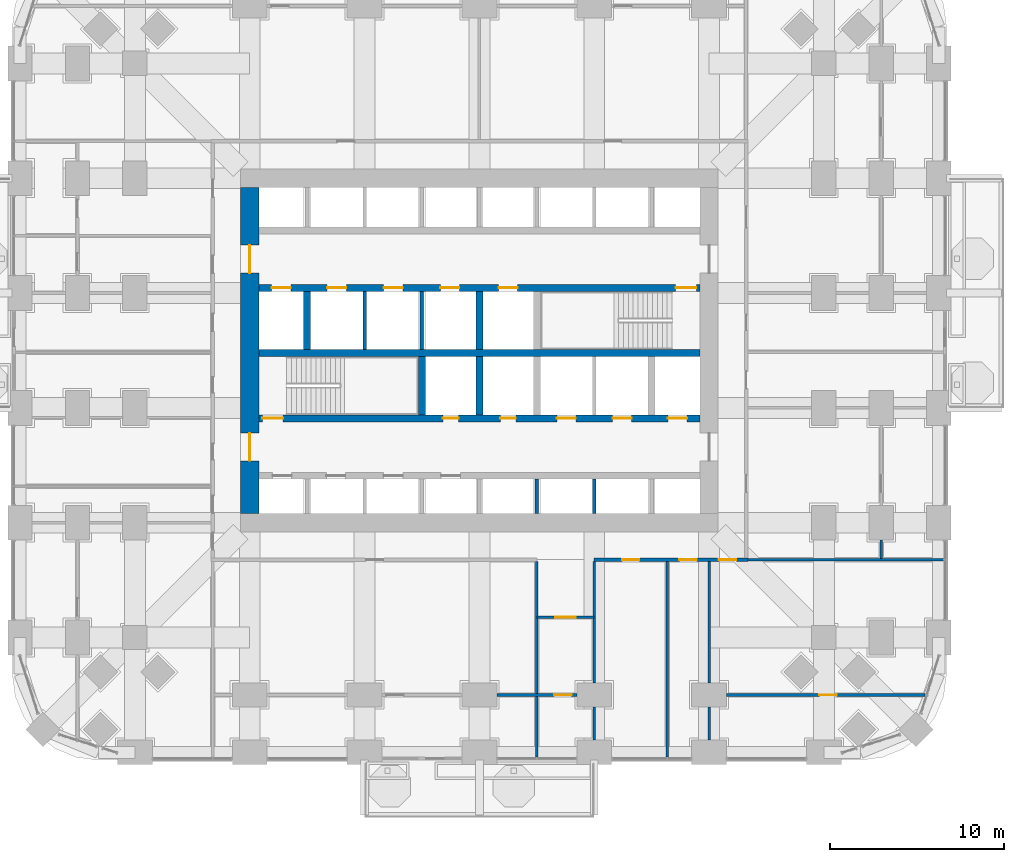
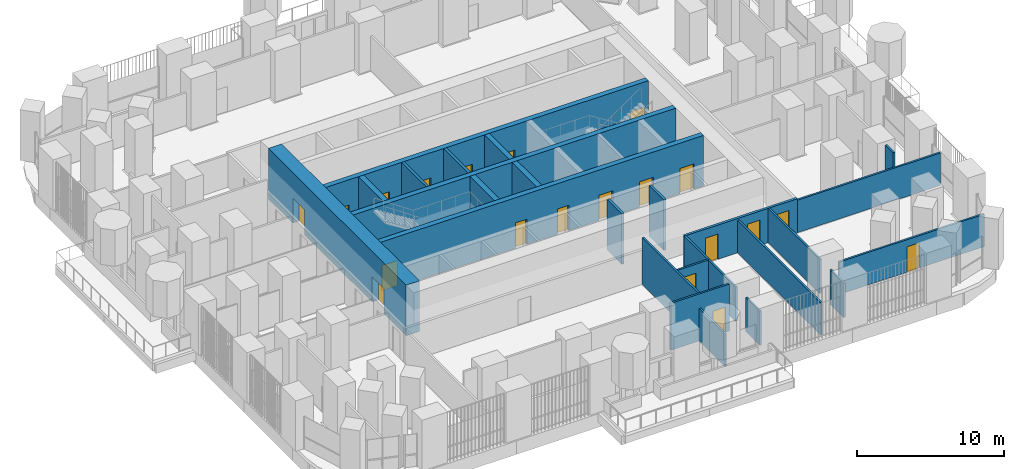
# One storey, part 17 of 24: 25 walls, 20 doors, 20 openings.
"""IFC4 building model written with IfcOpenShell, lengths in metres."""

from ifc_helpers import new_model, si_unit, direction, frame, frame_2d, origin, place, context, subcontext, project, spatial, rectangle, extrude, material, layer, layer_set, type_object, element, fill, save


model = new_model("IFC4")

# Units and contexts
model_context = context("Model", 3, precision=1e-05, world=origin(), true_north=direction((0.0, 1.0)))
body_context = subcontext(model_context, "Body", "Model", "MODEL_VIEW")
ifc_project = project(units=[si_unit("LENGTHUNIT", "METRE"), si_unit("AREAUNIT", "SQUARE_METRE"), si_unit("VOLUMEUNIT", "CUBIC_METRE"), si_unit("PLANEANGLEUNIT", "RADIAN"), si_unit("MASSUNIT", "GRAM", prefix="KILO")], contexts=[model_context])

# Site, building, storey
site_placement = place(None, origin())
site = spatial("IfcSite", under=ifc_project, at=site_placement, CompositionType="ELEMENT")
building_placement = place(site_placement, origin())
building = spatial("IfcBuilding", under=site, at=building_placement, Name="Cobogo Forest Laboratory Tower", CompositionType="ELEMENT")
storey_placement = place(building_placement, frame((0.0, 0.0, 17.10009765625)))
storey = spatial("IfcBuildingStorey", under=building, at=storey_placement, Name="L03", CompositionType="ELEMENT", Elevation=17.10009765625)

# Wall, openings, doors
ifc_material_1 = material(Name="Concrete HA-50 (C50/60)", Category="concrete")
ifc_layer_1 = layer(ifc_material_1, 0.39990234375)
ifc_layer_set_1 = layer_set([ifc_layer_1], Name="CI400 core inner wall 400")
wall_type_1 = type_object("IfcWallType", Name="CI400 core inner wall 400", PredefinedType="SHEAR", material=ifc_layer_set_1)
wall_1_placement = place(storey_placement, frame((13.72509765625, 19.199951171875, 0.0), z_axis=(0.0, 0.0, 1.0), x_axis=(1.0, 0.0, 0.0)))
wall_1 = element("IfcWall", 1, at=wall_1_placement, inside=storey, type_object=wall_type_1, Name="Core wall CI-19.2 L03", PredefinedType="SHEAR", context=body_context, shape_type="SweptSolid", body=[
    extrude(rectangle(XDim=25.349853515625, YDim=0.39990234375, at=frame_2d((12.6748046875, 0.0))), origin(), (0.0, 0.0, 1.0), 4.199951171875),
])
opening_1_placement = place(wall_1_placement, frame((10.574951171875, 0.0, 0.0)))
opening_1 = element("IfcOpeningElement", 2, at=opening_1_placement, cuts=wall_1, Name="Opening L03-D19", PredefinedType="OPENING", context=body_context, shape_type="SweptSolid", body=[
    extrude(rectangle(XDim=0.89990234375, YDim=2.10009765625, at=frame_2d((0.449951171875, 1.050048828125))), frame((0.0, 0.2099609375, 0.0), z_axis=(0.0, -1.0, 0.0), x_axis=(1.0, 0.0, 0.0)), (0.0, 0.0, 1.0), 0.419921875),
])
opening_2_placement = place(wall_1_placement, frame((13.875, 0.0, 0.0)))
opening_2 = element("IfcOpeningElement", 3, at=opening_2_placement, cuts=wall_1, Name="Opening L03-D20", PredefinedType="OPENING", context=body_context, shape_type="SweptSolid", body=[
    extrude(rectangle(XDim=0.89990234375, YDim=2.10009765625, at=frame_2d((0.449951171875, 1.050048828125))), frame((0.0, 0.2099609375, 0.0), z_axis=(0.0, -1.0, 0.0), x_axis=(1.0, 0.0, 0.0)), (0.0, 0.0, 1.0), 0.419921875),
])
opening_3_placement = place(wall_1_placement, frame((0.199951171875, 0.0, 0.0)))
opening_3 = element("IfcOpeningElement", 4, at=opening_3_placement, cuts=wall_1, Name="Opening L03-D18", PredefinedType="OPENING", context=body_context, shape_type="SweptSolid", body=[
    extrude(rectangle(XDim=1.199951171875, YDim=2.10009765625, at=frame_2d((0.60009765625, 1.050048828125))), frame((0.0, 0.2099609375, 0.0), z_axis=(0.0, -1.0, 0.0), x_axis=(1.0, 0.0, 0.0)), (0.0, 0.0, 1.0), 0.419921875),
])
opening_4_placement = place(wall_1_placement, frame((23.512451171875, 0.0, 0.0)))
opening_4 = element("IfcOpeningElement", 5, at=opening_4_placement, cuts=wall_1, Name="Opening L03-LD-FL2", PredefinedType="OPENING", context=body_context, shape_type="SweptSolid", body=[
    extrude(rectangle(XDim=1.10009765625, YDim=2.10009765625, at=frame_2d((0.550048828125, 1.050048828125))), frame((0.0, 0.2099609375, 0.0), z_axis=(0.0, -1.0, 0.0), x_axis=(1.0, 0.0, 0.0)), (0.0, 0.0, 1.0), 0.419921875),
])
opening_5_placement = place(wall_1_placement, frame((17.125, 0.0, 0.0)))
opening_5 = element("IfcOpeningElement", 6, at=opening_5_placement, cuts=wall_1, Name="Opening L03-LD-LS1", PredefinedType="OPENING", context=body_context, shape_type="SweptSolid", body=[
    extrude(rectangle(XDim=1.10009765625, YDim=2.10009765625, at=frame_2d((0.550048828125, 1.050048828125))), frame((0.0, 0.2099609375, 0.0), z_axis=(0.0, -1.0, 0.0), x_axis=(1.0, 0.0, 0.0)), (0.0, 0.0, 1.0), 0.419921875),
])
opening_6_placement = place(wall_1_placement, frame((20.324951171875, 0.0, 0.0)))
opening_6 = element("IfcOpeningElement", 7, at=opening_6_placement, cuts=wall_1, Name="Opening L03-LD-LS2", PredefinedType="OPENING", context=body_context, shape_type="SweptSolid", body=[
    extrude(rectangle(XDim=1.10009765625, YDim=2.10009765625, at=frame_2d((0.550048828125, 1.050048828125))), frame((0.0, 0.2099609375, 0.0), z_axis=(0.0, -1.0, 0.0), x_axis=(1.0, 0.0, 0.0)), (0.0, 0.0, 1.0), 0.419921875),
])
ifc_material_2 = material(Name="Steel fire door", Category="steel")
door_type_1 = type_object("IfcDoorType", Name="DS1 protected stair door 1200 EI2 60", OperationType="SINGLE_SWING_LEFT", PredefinedType="DOOR", material=ifc_material_2)
door_1_placement = place(opening_3_placement, origin())
door_1 = element("IfcDoor", 8, at=door_1_placement, inside=storey, type_object=door_type_1, Name="Door L03-ST1", OperationType="SINGLE_SWING_LEFT", OverallHeight=2.10009765625, OverallWidth=1.199951171875, PredefinedType="DOOR", context=body_context, shape_type="SweptSolid", body=[
    extrude(rectangle(XDim=1.199951171875, YDim=2.10009765625, at=frame_2d((0.60009765625, 1.050048828125))), frame((0.0, 0.02490234375, 0.0), z_axis=(0.0, -1.0, 0.0), x_axis=(1.0, 0.0, 0.0)), (0.0, 0.0, 1.0), 0.050048828125),
])
fill(opening_3, door_1)
door_type_2 = type_object("IfcDoorType", Name="FD4 riser access door 900 EI2 60", OperationType="SINGLE_SWING_LEFT", PredefinedType="DOOR", material=ifc_material_2)
door_2_placement = place(opening_1_placement, origin())
door_2 = element("IfcDoor", 9, at=door_2_placement, inside=storey, type_object=door_type_2, Name="Door L03-R1", OperationType="SINGLE_SWING_LEFT", OverallHeight=2.10009765625, OverallWidth=0.89990234375, PredefinedType="DOOR", context=body_context, shape_type="SweptSolid", body=[
    extrude(rectangle(XDim=0.89990234375, YDim=2.10009765625, at=frame_2d((0.449951171875, 1.050048828125))), frame((0.0, 0.02490234375, 0.0), z_axis=(0.0, -1.0, 0.0), x_axis=(1.0, 0.0, 0.0)), (0.0, 0.0, 1.0), 0.050048828125),
])
fill(opening_1, door_2)
door_3_placement = place(opening_2_placement, origin())
door_3 = element("IfcDoor", 10, at=door_3_placement, inside=storey, type_object=door_type_2, Name="Door L03-R2", OperationType="SINGLE_SWING_RIGHT", OverallHeight=2.10009765625, OverallWidth=0.89990234375, PredefinedType="DOOR", context=body_context, shape_type="SweptSolid", body=[
    extrude(rectangle(XDim=0.89990234375, YDim=2.10009765625, at=frame_2d((0.449951171875, 1.050048828125))), frame((0.0, 0.02490234375, 0.0), z_axis=(0.0, -1.0, 0.0), x_axis=(1.0, 0.0, 0.0)), (0.0, 0.0, 1.0), 0.050048828125),
])
fill(opening_2, door_3)
ifc_material_3 = material(Name="Stainless steel lift door", Category="steel")
door_type_3 = type_object("IfcDoorType", Name="LD lift landing door 1100", OperationType="DOUBLE_DOOR_SLIDING", PredefinedType="DOOR", material=ifc_material_3)
door_4_placement = place(opening_4_placement, origin())
door_4 = element("IfcDoor", 11, at=door_4_placement, inside=storey, type_object=door_type_3, Name="Lift landing door FL2 L03", OperationType="DOUBLE_DOOR_SLIDING", OverallHeight=2.10009765625, OverallWidth=1.10009765625, PredefinedType="DOOR", context=body_context, shape_type="SweptSolid", body=[
    extrude(rectangle(XDim=1.10009765625, YDim=2.10009765625, at=frame_2d((0.550048828125, 1.050048828125))), frame((0.0, 0.02490234375, 0.0), z_axis=(0.0, -1.0, 0.0), x_axis=(1.0, 0.0, 0.0)), (0.0, 0.0, 1.0), 0.050048828125),
])
fill(opening_4, door_4)
door_5_placement = place(opening_5_placement, origin())
door_5 = element("IfcDoor", 12, at=door_5_placement, inside=storey, type_object=door_type_3, Name="Lift landing door LS1 L03", OperationType="DOUBLE_DOOR_SLIDING", OverallHeight=2.10009765625, OverallWidth=1.10009765625, PredefinedType="DOOR", context=body_context, shape_type="SweptSolid", body=[
    extrude(rectangle(XDim=1.10009765625, YDim=2.10009765625, at=frame_2d((0.550048828125, 1.050048828125))), frame((0.0, 0.02490234375, 0.0), z_axis=(0.0, -1.0, 0.0), x_axis=(1.0, 0.0, 0.0)), (0.0, 0.0, 1.0), 0.050048828125),
])
fill(opening_5, door_5)
door_6_placement = place(opening_6_placement, origin())
door_6 = element("IfcDoor", 13, at=door_6_placement, inside=storey, type_object=door_type_3, Name="Lift landing door LS2 L03", OperationType="DOUBLE_DOOR_SLIDING", OverallHeight=2.10009765625, OverallWidth=1.10009765625, PredefinedType="DOOR", context=body_context, shape_type="SweptSolid", body=[
    extrude(rectangle(XDim=1.10009765625, YDim=2.10009765625, at=frame_2d((0.550048828125, 1.050048828125))), frame((0.0, 0.02490234375, 0.0), z_axis=(0.0, -1.0, 0.0), x_axis=(1.0, 0.0, 0.0)), (0.0, 0.0, 1.0), 0.050048828125),
])
fill(opening_6, door_6)

# Wall
wall_2_placement = place(storey_placement, frame((13.72509765625, 22.949951171875, 0.0), z_axis=(0.0, 0.0, 1.0), x_axis=(1.0, 0.0, 0.0)))
element("IfcWall", 14, at=wall_2_placement, inside=storey, type_object=wall_type_1, Name="Core wall CI-22.95 L03", PredefinedType="SHEAR", context=body_context, shape_type="SweptSolid", body=[
    extrude(rectangle(XDim=25.349853515625, YDim=0.39990234375, at=frame_2d((12.6748046875, 0.0))), origin(), (0.0, 0.0, 1.0), 4.199951171875),
])

# Wall, openings, doors
wall_3_placement = place(storey_placement, frame((13.72509765625, 26.699951171875, 0.0), z_axis=(0.0, 0.0, 1.0), x_axis=(1.0, 0.0, 0.0)))
wall_3 = element("IfcWall", 15, at=wall_3_placement, inside=storey, type_object=wall_type_1, Name="Core wall CI-26.7 L03", PredefinedType="SHEAR", context=body_context, shape_type="SweptSolid", body=[
    extrude(rectangle(XDim=25.349853515625, YDim=0.39990234375, at=frame_2d((12.6748046875, 0.0))), origin(), (0.0, 0.0, 1.0), 4.199951171875),
])
opening_7_placement = place(wall_3_placement, frame((23.949951171875, 0.0, 0.0)))
opening_7 = element("IfcOpeningElement", 16, at=opening_7_placement, cuts=wall_3, Name="Opening L03-D27", PredefinedType="OPENING", context=body_context, shape_type="SweptSolid", body=[
    extrude(rectangle(XDim=1.199951171875, YDim=2.10009765625, at=frame_2d((0.60009765625, 1.050048828125))), frame((0.0, 0.2099609375, 0.0), z_axis=(0.0, -1.0, 0.0), x_axis=(1.0, 0.0, 0.0)), (0.0, 0.0, 1.0), 0.419921875),
])
opening_8_placement = place(wall_3_placement, frame((0.737548828125, 0.0, 0.0)))
opening_8 = element("IfcOpeningElement", 17, at=opening_8_placement, cuts=wall_3, Name="Opening L03-LD-FL1", PredefinedType="OPENING", context=body_context, shape_type="SweptSolid", body=[
    extrude(rectangle(XDim=1.10009765625, YDim=2.10009765625, at=frame_2d((0.550048828125, 1.050048828125))), frame((0.0, 0.2099609375, 0.0), z_axis=(0.0, -1.0, 0.0), x_axis=(1.0, 0.0, 0.0)), (0.0, 0.0, 1.0), 0.419921875),
])
opening_9_placement = place(wall_3_placement, frame((3.925048828125, 0.0, 0.0)))
opening_9 = element("IfcOpeningElement", 18, at=opening_9_placement, cuts=wall_3, Name="Opening L03-LD-LS3", PredefinedType="OPENING", context=body_context, shape_type="SweptSolid", body=[
    extrude(rectangle(XDim=1.10009765625, YDim=2.10009765625, at=frame_2d((0.550048828125, 1.050048828125))), frame((0.0, 0.2099609375, 0.0), z_axis=(0.0, -1.0, 0.0), x_axis=(1.0, 0.0, 0.0)), (0.0, 0.0, 1.0), 0.419921875),
])
opening_10_placement = place(wall_3_placement, frame((7.175048828125, 0.0, 0.0)))
opening_10 = element("IfcOpeningElement", 19, at=opening_10_placement, cuts=wall_3, Name="Opening L03-LD-LS4", PredefinedType="OPENING", context=body_context, shape_type="SweptSolid", body=[
    extrude(rectangle(XDim=1.10009765625, YDim=2.10009765625, at=frame_2d((0.550048828125, 1.050048828125))), frame((0.0, 0.2099609375, 0.0), z_axis=(0.0, -1.0, 0.0), x_axis=(1.0, 0.0, 0.0)), (0.0, 0.0, 1.0), 0.419921875),
])
opening_11_placement = place(wall_3_placement, frame((10.425048828125, 0.0, 0.0)))
opening_11 = element("IfcOpeningElement", 20, at=opening_11_placement, cuts=wall_3, Name="Opening L03-LD-LS5", PredefinedType="OPENING", context=body_context, shape_type="SweptSolid", body=[
    extrude(rectangle(XDim=1.10009765625, YDim=2.10009765625, at=frame_2d((0.550048828125, 1.050048828125))), frame((0.0, 0.2099609375, 0.0), z_axis=(0.0, -1.0, 0.0), x_axis=(1.0, 0.0, 0.0)), (0.0, 0.0, 1.0), 0.419921875),
])
opening_12_placement = place(wall_3_placement, frame((13.77490234375, 0.0, 0.0)))
opening_12 = element("IfcOpeningElement", 21, at=opening_12_placement, cuts=wall_3, Name="Opening L03-LD-LS6", PredefinedType="OPENING", context=body_context, shape_type="SweptSolid", body=[
    extrude(rectangle(XDim=1.10009765625, YDim=2.10009765625, at=frame_2d((0.550048828125, 1.050048828125))), frame((0.0, 0.2099609375, 0.0), z_axis=(0.0, -1.0, 0.0), x_axis=(1.0, 0.0, 0.0)), (0.0, 0.0, 1.0), 0.419921875),
])
door_7_placement = place(opening_7_placement, origin())
door_7 = element("IfcDoor", 22, at=door_7_placement, inside=storey, type_object=door_type_1, Name="Door L03-ST2", OperationType="SINGLE_SWING_RIGHT", OverallHeight=2.10009765625, OverallWidth=1.199951171875, PredefinedType="DOOR", context=body_context, shape_type="SweptSolid", body=[
    extrude(rectangle(XDim=1.199951171875, YDim=2.10009765625, at=frame_2d((0.60009765625, 1.050048828125))), frame((0.0, 0.02490234375, 0.0), z_axis=(0.0, -1.0, 0.0), x_axis=(1.0, 0.0, 0.0)), (0.0, 0.0, 1.0), 0.050048828125),
])
fill(opening_7, door_7)
door_8_placement = place(opening_8_placement, origin())
door_8 = element("IfcDoor", 23, at=door_8_placement, inside=storey, type_object=door_type_3, Name="Lift landing door FL1 L03", OperationType="DOUBLE_DOOR_SLIDING", OverallHeight=2.10009765625, OverallWidth=1.10009765625, PredefinedType="DOOR", context=body_context, shape_type="SweptSolid", body=[
    extrude(rectangle(XDim=1.10009765625, YDim=2.10009765625, at=frame_2d((0.550048828125, 1.050048828125))), frame((0.0, 0.02490234375, 0.0), z_axis=(0.0, -1.0, 0.0), x_axis=(1.0, 0.0, 0.0)), (0.0, 0.0, 1.0), 0.050048828125),
])
fill(opening_8, door_8)
door_9_placement = place(opening_9_placement, origin())
door_9 = element("IfcDoor", 24, at=door_9_placement, inside=storey, type_object=door_type_3, Name="Lift landing door LS3 L03", OperationType="DOUBLE_DOOR_SLIDING", OverallHeight=2.10009765625, OverallWidth=1.10009765625, PredefinedType="DOOR", context=body_context, shape_type="SweptSolid", body=[
    extrude(rectangle(XDim=1.10009765625, YDim=2.10009765625, at=frame_2d((0.550048828125, 1.050048828125))), frame((0.0, 0.02490234375, 0.0), z_axis=(0.0, -1.0, 0.0), x_axis=(1.0, 0.0, 0.0)), (0.0, 0.0, 1.0), 0.050048828125),
])
fill(opening_9, door_9)
door_10_placement = place(opening_10_placement, origin())
door_10 = element("IfcDoor", 25, at=door_10_placement, inside=storey, type_object=door_type_3, Name="Lift landing door LS4 L03", OperationType="DOUBLE_DOOR_SLIDING", OverallHeight=2.10009765625, OverallWidth=1.10009765625, PredefinedType="DOOR", context=body_context, shape_type="SweptSolid", body=[
    extrude(rectangle(XDim=1.10009765625, YDim=2.10009765625, at=frame_2d((0.550048828125, 1.050048828125))), frame((0.0, 0.02490234375, 0.0), z_axis=(0.0, -1.0, 0.0), x_axis=(1.0, 0.0, 0.0)), (0.0, 0.0, 1.0), 0.050048828125),
])
fill(opening_10, door_10)
door_11_placement = place(opening_11_placement, origin())
door_11 = element("IfcDoor", 26, at=door_11_placement, inside=storey, type_object=door_type_3, Name="Lift landing door LS5 L03", OperationType="DOUBLE_DOOR_SLIDING", OverallHeight=2.10009765625, OverallWidth=1.10009765625, PredefinedType="DOOR", context=body_context, shape_type="SweptSolid", body=[
    extrude(rectangle(XDim=1.10009765625, YDim=2.10009765625, at=frame_2d((0.550048828125, 1.050048828125))), frame((0.0, 0.02490234375, 0.0), z_axis=(0.0, -1.0, 0.0), x_axis=(1.0, 0.0, 0.0)), (0.0, 0.0, 1.0), 0.050048828125),
])
fill(opening_11, door_11)
door_12_placement = place(opening_12_placement, origin())
door_12 = element("IfcDoor", 27, at=door_12_placement, inside=storey, type_object=door_type_3, Name="Lift landing door LS6 L03", OperationType="DOUBLE_DOOR_SLIDING", OverallHeight=2.10009765625, OverallWidth=1.10009765625, PredefinedType="DOOR", context=body_context, shape_type="SweptSolid", body=[
    extrude(rectangle(XDim=1.10009765625, YDim=2.10009765625, at=frame_2d((0.550048828125, 1.050048828125))), frame((0.0, 0.02490234375, 0.0), z_axis=(0.0, -1.0, 0.0), x_axis=(1.0, 0.0, 0.0)), (0.0, 0.0, 1.0), 0.050048828125),
])
fill(opening_12, door_12)

# Walls
for number, where, z_axis, x_axis, name in (
    (28, (23.10009765625, 19.39990234375, 0.0), (0.0, 0.0, 1.0), (0.0, 1.0, 0.0), "Core wall CX-23.1 L03"),
    (29, (26.39990234375, 19.39990234375, 0.0), (0.0, 0.0, 1.0), (0.0, 1.0, 0.0), "Core wall CX-26.4S L03"),
    (30, (16.5, 23.14990234375, 0.0), (0.0, 0.0, 1.0), (0.0, 1.0, 0.0), "Core wall CX-16.5 L03"),
    (31, (26.39990234375, 23.14990234375, 0.0), (0.0, 0.0, 1.0), (0.0, 1.0, 0.0), "Core wall CX-26.4N L03"),
):
    element("IfcWall", number, at=place(storey_placement, frame(where, z_axis=z_axis, x_axis=x_axis)), inside=storey, type_object=wall_type_1, Name=name, PredefinedType="SHEAR", context=body_context, shape_type="SweptSolid", body=[
        extrude(rectangle(XDim=3.35009765625, YDim=0.39990234375, at=frame_2d((1.675048828125, 0.0))), origin(), (0.0, 0.0, 1.0), 4.199951171875),
    ])

# Wall, openings, doors
ifc_layer_2 = layer(ifc_material_1, 1.050048828125)
ifc_layer_set_2 = layer_set([ifc_layer_2], Name="CW1050 core outer wall 1050")
wall_type_2 = type_object("IfcWallType", Name="CW1050 core outer wall 1050", PredefinedType="SHEAR", material=ifc_layer_set_2)
wall_4_placement = place(storey_placement, frame((13.199951171875, 32.47509765625, 0.0), z_axis=(0.0, 0.0, 1.0), x_axis=(0.0, -1.0, 0.0)))
wall_4 = element("IfcWall", 32, at=wall_4_placement, inside=storey, type_object=wall_type_2, Name="Core wall CO-W L03", PredefinedType="SHEAR", context=body_context, shape_type="SweptSolid", body=[
    extrude(rectangle(XDim=18.75, YDim=1.050048828125, at=frame_2d((9.375, 0.0))), origin(), (0.0, 0.0, 1.0), 4.199951171875),
])
opening_13_placement = place(wall_4_placement, frame((14.125, 0.0, 0.0)))
opening_13 = element("IfcOpeningElement", 33, at=opening_13_placement, cuts=wall_4, Name="Opening L03-D16", PredefinedType="OPENING", context=body_context, shape_type="SweptSolid", body=[
    extrude(rectangle(XDim=1.60009765625, YDim=2.10009765625, at=frame_2d((0.800048828125, 1.050048828125))), frame((0.0, 0.534912109375, 0.0), z_axis=(0.0, -1.0, 0.0), x_axis=(1.0, 0.0, 0.0)), (0.0, 0.0, 1.0), 1.070068359375),
])
opening_14_placement = place(wall_4_placement, frame((3.324951171875, 0.0, 0.0)))
opening_14 = element("IfcOpeningElement", 34, at=opening_14_placement, cuts=wall_4, Name="Opening L03-D30", PredefinedType="OPENING", context=body_context, shape_type="SweptSolid", body=[
    extrude(rectangle(XDim=1.60009765625, YDim=2.10009765625, at=frame_2d((0.800048828125, 1.050048828125))), frame((0.0, 0.534912109375, 0.0), z_axis=(0.0, -1.0, 0.0), x_axis=(1.0, 0.0, 0.0)), (0.0, 0.0, 1.0), 1.070068359375),
])
door_type_4 = type_object("IfcDoorType", Name="DS2 protected lobby door pair 1600 EI2 60", OperationType="DOUBLE_DOOR_DOUBLE_SWING", PredefinedType="DOOR", material=ifc_material_2)
door_13_placement = place(opening_13_placement, origin())
door_13 = element("IfcDoor", 35, at=door_13_placement, inside=storey, type_object=door_type_4, Name="Door L03-CO-W-S", OperationType="DOUBLE_DOOR_DOUBLE_SWING", OverallHeight=2.10009765625, OverallWidth=1.60009765625, PredefinedType="DOOR", context=body_context, shape_type="SweptSolid", body=[
    extrude(rectangle(XDim=1.60009765625, YDim=2.10009765625, at=frame_2d((0.800048828125, 1.050048828125))), frame((0.0, 0.02490234375, 0.0), z_axis=(0.0, -1.0, 0.0), x_axis=(1.0, 0.0, 0.0)), (0.0, 0.0, 1.0), 0.050048828125),
])
fill(opening_13, door_13)
door_14_placement = place(opening_14_placement, origin())
door_14 = element("IfcDoor", 36, at=door_14_placement, inside=storey, type_object=door_type_4, Name="Door L03-CO-W-N", OperationType="DOUBLE_DOOR_DOUBLE_SWING", OverallHeight=2.10009765625, OverallWidth=1.60009765625, PredefinedType="DOOR", context=body_context, shape_type="SweptSolid", body=[
    extrude(rectangle(XDim=1.60009765625, YDim=2.10009765625, at=frame_2d((0.800048828125, 1.050048828125))), frame((0.0, 0.02490234375, 0.0), z_axis=(0.0, -1.0, 0.0), x_axis=(1.0, 0.0, 0.0)), (0.0, 0.0, 1.0), 0.050048828125),
])
fill(opening_14, door_14)

# Wall
ifc_material_4 = material(Name="Gypsum board on steel studs", Category="steel")
ifc_layer_3 = layer(ifc_material_4, 0.14990234375)
ifc_layer_set_3 = layer_set([ifc_layer_3], Name="PT1 laboratory partition 150")
wall_type_3 = type_object("IfcWallType", Name="PT1 laboratory partition 150", PredefinedType="PARTITIONING", material=ifc_layer_set_3)
wall_5_placement = place(storey_placement, frame((53.070068359375, 11.074951171875, 0.0), z_axis=(0.0, 0.0, 1.0), x_axis=(-1.0, 0.0, 0.0)))
element("IfcWall", 37, at=wall_5_placement, inside=storey, type_object=wall_type_3, Name="Partition PW-SE L03", PredefinedType="PARTITIONING", context=body_context, shape_type="SweptSolid", body=[
    extrude(rectangle(XDim=11.2451171875, YDim=0.14990234375, at=frame_2d((5.62255859375, 0.0))), origin(), (0.0, 0.0, 1.0), 2.699951171875),
])

# Wall, opening, door
wall_6_placement = place(storey_placement, frame((27.39990234375, 3.300048828125, 0.0), z_axis=(0.0, 0.0, 1.0), x_axis=(1.0, 0.0, 0.0)))
wall_6 = element("IfcWall", 38, at=wall_6_placement, inside=storey, type_object=wall_type_3, Name="Partition STRIP-S-4 L03", PredefinedType="PARTITIONING", context=body_context, shape_type="SweptSolid", body=[
    extrude(rectangle(XDim=4.60009765625, YDim=0.14990234375, at=frame_2d((2.300048828125, 0.0))), origin(), (0.0, 0.0, 1.0), 3.89990234375),
])
opening_15_placement = place(wall_6_placement, frame((3.300048828125, 0.0, 0.0)))
opening_15 = element("IfcOpeningElement", 39, at=opening_15_placement, cuts=wall_6, Name="Opening L03-D03", PredefinedType="OPENING", context=body_context, shape_type="SweptSolid", body=[
    extrude(rectangle(XDim=1.0, YDim=2.10009765625, at=frame_2d((0.5, 1.050048828125))), frame((0.0, 0.0849609375, 0.0), z_axis=(0.0, -1.0, 0.0), x_axis=(1.0, 0.0, 0.0)), (0.0, 0.0, 1.0), 0.169921875),
])
ifc_material_5 = material(Name="Timber fire door", Category="wood")
door_type_5 = type_object("IfcDoorType", Name="FD2 fire door 1000 EI2 30", OperationType="SINGLE_SWING_LEFT", PredefinedType="DOOR", material=ifc_material_5)
door_15_placement = place(opening_15_placement, origin())
door_15 = element("IfcDoor", 40, at=door_15_placement, inside=storey, type_object=door_type_5, Name="Door L03-S2W", OperationType="SINGLE_SWING_RIGHT", OverallHeight=2.10009765625, OverallWidth=1.0, PredefinedType="DOOR", context=body_context, shape_type="SweptSolid", body=[
    extrude(rectangle(XDim=1.0, YDim=2.10009765625, at=frame_2d((0.5, 1.050048828125))), frame((0.0, 0.02490234375, 0.0), z_axis=(0.0, -1.0, 0.0), x_axis=(1.0, 0.0, 0.0)), (0.0, 0.0, 1.0), 0.050048828125),
])
fill(opening_15, door_15)

wall_7_placement = place(storey_placement, frame((40.60009765625, 3.300048828125, 0.0), z_axis=(0.0, 0.0, 1.0), x_axis=(1.0, 0.0, 0.0)))
wall_7 = element("IfcWall", 41, at=wall_7_placement, inside=storey, type_object=wall_type_3, Name="Partition STRIP-S-5 L03", PredefinedType="PARTITIONING", context=body_context, shape_type="SweptSolid", body=[
    extrude(rectangle(XDim=11.423828125, YDim=0.14990234375, at=frame_2d((5.7119140625, 0.0))), origin(), (0.0, 0.0, 1.0), 2.699951171875),
])
opening_16_placement = place(wall_7_placement, frame((5.342041015625, 0.0, 0.0)))
opening_16 = element("IfcOpeningElement", 42, at=opening_16_placement, cuts=wall_7, Name="Opening L03-D04", PredefinedType="OPENING", context=body_context, shape_type="SweptSolid", body=[
    extrude(rectangle(XDim=1.0, YDim=2.10009765625, at=frame_2d((0.5, 1.050048828125))), frame((0.0, 0.0849609375, 0.0), z_axis=(0.0, -1.0, 0.0), x_axis=(1.0, 0.0, 0.0)), (0.0, 0.0, 1.0), 0.169921875),
])
door_16_placement = place(opening_16_placement, origin())
door_16 = element("IfcDoor", 43, at=door_16_placement, inside=storey, type_object=door_type_5, Name="Door L03-S3W", OperationType="SINGLE_SWING_RIGHT", OverallHeight=2.10009765625, OverallWidth=1.0, PredefinedType="DOOR", context=body_context, shape_type="SweptSolid", body=[
    extrude(rectangle(XDim=1.0, YDim=2.10009765625, at=frame_2d((0.5, 1.050048828125))), frame((0.0, 0.02490234375, 0.0), z_axis=(0.0, -1.0, 0.0), x_axis=(1.0, 0.0, 0.0)), (0.0, 0.0, 1.0), 0.050048828125),
])
fill(opening_16, door_16)

wall_8_placement = place(storey_placement, frame((29.699951171875, 7.77490234375, 0.0), z_axis=(0.0, 0.0, 1.0), x_axis=(1.0, 0.0, 0.0)))
wall_8 = element("IfcWall", 44, at=wall_8_placement, inside=storey, type_object=wall_type_3, Name="Partition NODE-S-1 L03", PredefinedType="PARTITIONING", context=body_context, shape_type="SweptSolid", body=[
    extrude(rectangle(XDim=3.300048828125, YDim=0.14990234375, at=frame_2d((1.64990234375, 0.0))), origin(), (0.0, 0.0, 1.0), 2.849853515625),
])
opening_17_placement = place(wall_8_placement, frame((1.050048828125, 0.0, 0.0)))
opening_17 = element("IfcOpeningElement", 45, at=opening_17_placement, cuts=wall_8, Name="Opening L03-D05", PredefinedType="OPENING", context=body_context, shape_type="SweptSolid", body=[
    extrude(rectangle(XDim=1.199951171875, YDim=2.10009765625, at=frame_2d((0.60009765625, 1.050048828125))), frame((0.0, 0.0849609375, 0.0), z_axis=(0.0, -1.0, 0.0), x_axis=(1.0, 0.0, 0.0)), (0.0, 0.0, 1.0), 0.169921875),
])
ifc_material_6 = material(Name="Timber door", Category="wood")
door_type_6 = type_object("IfcDoorType", Name="D2 laboratory door 1200 unequal pair", OperationType="DOUBLE_DOOR_SINGLE_SWING", PredefinedType="DOOR", material=ifc_material_6)
door_17_placement = place(opening_17_placement, origin())
door_17 = element("IfcDoor", 46, at=door_17_placement, inside=storey, type_object=door_type_6, Name="Door L03-S2", OperationType="DOUBLE_DOOR_SINGLE_SWING", OverallHeight=2.10009765625, OverallWidth=1.199951171875, PredefinedType="DOOR", context=body_context, shape_type="SweptSolid", body=[
    extrude(rectangle(XDim=1.199951171875, YDim=2.10009765625, at=frame_2d((0.60009765625, 1.050048828125))), frame((0.0, 0.02490234375, 0.0), z_axis=(0.0, -1.0, 0.0), x_axis=(1.0, 0.0, 0.0)), (0.0, 0.0, 1.0), 0.050048828125),
])
fill(opening_17, door_17)

# Walls
wall_9_placement = place(storey_placement, frame((37.199951171875, -0.27001953125, 0.0), z_axis=(0.0, 0.0, 1.0), x_axis=(0.0, 1.0, 0.0)))
element("IfcWall", 47, at=wall_9_placement, inside=storey, type_object=wall_type_3, Name="Partition SVC-S1-1 L03", PredefinedType="PARTITIONING", context=body_context, shape_type="SweptSolid", body=[
    extrude(rectangle(XDim=11.2451171875, YDim=0.14990234375, at=frame_2d((5.62255859375, 0.0))), origin(), (0.0, 0.0, 1.0), 2.699951171875),
])
wall_10_placement = place(storey_placement, frame((39.60009765625, 0.699951171875, 0.0), z_axis=(0.0, 0.0, 1.0), x_axis=(0.0, 1.0, 0.0)))
element("IfcWall", 48, at=wall_10_placement, inside=storey, type_object=wall_type_3, Name="Partition SVC-S2-1 L03", PredefinedType="PARTITIONING", context=body_context, shape_type="SweptSolid", body=[
    extrude(rectangle(XDim=1.900146484375, YDim=0.14990234375, at=frame_2d((0.9501953125, 0.0))), origin(), (0.0, 0.0, 1.0), 2.849853515625),
])
wall_11_placement = place(storey_placement, frame((39.60009765625, 4.0, 0.0), z_axis=(0.0, 0.0, 1.0), x_axis=(0.0, 1.0, 0.0)))
element("IfcWall", 49, at=wall_11_placement, inside=storey, type_object=wall_type_3, Name="Partition SVC-S2-2 L03", PredefinedType="PARTITIONING", context=body_context, shape_type="SweptSolid", body=[
    extrude(rectangle(XDim=6.97509765625, YDim=0.14990234375, at=frame_2d((3.487548828125, 0.0))), origin(), (0.0, 0.0, 1.0), 2.849853515625),
])
wall_12_placement = place(storey_placement, frame((29.699951171875, -0.27001953125, 0.0), z_axis=(0.0, 0.0, 1.0), x_axis=(0.0, 1.0, 0.0)))
element("IfcWall", 50, at=wall_12_placement, inside=storey, type_object=wall_type_3, Name="Partition CUT-S29.7a-1 L03", PredefinedType="PARTITIONING", context=body_context, shape_type="SweptSolid", body=[
    extrude(rectangle(XDim=3.4951171875, YDim=0.14990234375, at=frame_2d((1.74755859375, 0.0))), origin(), (0.0, 0.0, 1.0), 2.699951171875),
])
wall_13_placement = place(storey_placement, frame((29.699951171875, 3.375, 0.0), z_axis=(0.0, 0.0, 1.0), x_axis=(0.0, 1.0, 0.0)))
element("IfcWall", 51, at=wall_13_placement, inside=storey, type_object=wall_type_3, Name="Partition CUT-S29.7b-1 L03", PredefinedType="PARTITIONING", context=body_context, shape_type="SweptSolid", body=[
    extrude(rectangle(XDim=7.60009765625, YDim=0.14990234375, at=frame_2d((3.800048828125, 0.0))), origin(), (0.0, 0.0, 1.0), 3.89990234375),
])
wall_14_placement = place(storey_placement, frame((33.0, 0.699951171875, 0.0), z_axis=(0.0, 0.0, 1.0), x_axis=(0.0, 1.0, 0.0)))
element("IfcWall", 52, at=wall_14_placement, inside=storey, type_object=wall_type_3, Name="Partition CUT-S33-1 L03", PredefinedType="PARTITIONING", context=body_context, shape_type="SweptSolid", body=[
    extrude(rectangle(XDim=1.900146484375, YDim=0.14990234375, at=frame_2d((0.9501953125, 0.0))), origin(), (0.0, 0.0, 1.0), 2.849853515625),
])
wall_15_placement = place(storey_placement, frame((33.0, 4.0, 0.0), z_axis=(0.0, 0.0, 1.0), x_axis=(0.0, 1.0, 0.0)))
element("IfcWall", 53, at=wall_15_placement, inside=storey, type_object=wall_type_3, Name="Partition CUT-S33-2 L03", PredefinedType="PARTITIONING", context=body_context, shape_type="SweptSolid", body=[
    extrude(rectangle(XDim=6.97509765625, YDim=0.14990234375, at=frame_2d((3.487548828125, 0.0))), origin(), (0.0, 0.0, 1.0), 2.849853515625),
])
wall_16_placement = place(storey_placement, frame((49.5, 11.14990234375, 0.0), z_axis=(0.0, 0.0, 1.0), x_axis=(0.0, 1.0, 0.0)))
element("IfcWall", 54, at=wall_16_placement, inside=storey, type_object=wall_type_3, Name="Partition STRIP-E-1 L03", PredefinedType="PARTITIONING", context=body_context, shape_type="SweptSolid", body=[
    extrude(rectangle(XDim=1.050048828125, YDim=0.14990234375, at=frame_2d((0.52490234375, 0.0))), origin(), (0.0, 0.0, 1.0), 3.89990234375),
])

# Wall, openings, doors
ifc_layer_4 = layer(ifc_material_4, 0.199951171875)
ifc_layer_set_4 = layer_set([ifc_layer_4], Name="PT2 fire-rated corridor partition 200")
wall_type_4 = type_object("IfcWallType", Name="PT2 fire-rated corridor partition 200", PredefinedType="PARTITIONING", material=ifc_layer_set_4)
wall_17_placement = place(storey_placement, frame((33.0, 11.074951171875, 0.0), z_axis=(0.0, 0.0, 1.0), x_axis=(1.0, 0.0, 0.0)))
wall_17 = element("IfcWall", 55, at=wall_17_placement, inside=storey, type_object=wall_type_4, Name="Partition CORR-S-2 L03", PredefinedType="PARTITIONING", context=body_context, shape_type="SweptSolid", body=[
    extrude(rectangle(XDim=8.824951171875, YDim=0.199951171875, at=frame_2d((4.41259765625, 0.0))), origin(), (0.0, 0.0, 1.0), 2.849853515625),
])
opening_18_placement = place(wall_17_placement, frame((1.60009765625, 0.0, 0.0)))
opening_18 = element("IfcOpeningElement", 56, at=opening_18_placement, cuts=wall_17, Name="Opening L03-D08", PredefinedType="OPENING", context=body_context, shape_type="SweptSolid", body=[
    extrude(rectangle(XDim=1.0, YDim=2.10009765625, at=frame_2d((0.5, 1.050048828125))), frame((0.0, 0.10986328125, 0.0), z_axis=(0.0, -1.0, 0.0), x_axis=(1.0, 0.0, 0.0)), (0.0, 0.0, 1.0), 0.219970703125),
])
opening_19_placement = place(wall_17_placement, frame((4.89990234375, 0.0, 0.0)))
opening_19 = element("IfcOpeningElement", 57, at=opening_19_placement, cuts=wall_17, Name="Opening L03-D09", PredefinedType="OPENING", context=body_context, shape_type="SweptSolid", body=[
    extrude(rectangle(XDim=1.0, YDim=2.10009765625, at=frame_2d((0.5, 1.050048828125))), frame((0.0, 0.10986328125, 0.0), z_axis=(0.0, -1.0, 0.0), x_axis=(1.0, 0.0, 0.0)), (0.0, 0.0, 1.0), 0.219970703125),
])
opening_20_placement = place(wall_17_placement, frame((7.16259765625, 0.0, 0.0)))
opening_20 = element("IfcOpeningElement", 58, at=opening_20_placement, cuts=wall_17, Name="Opening L03-D10", PredefinedType="OPENING", context=body_context, shape_type="SweptSolid", body=[
    extrude(rectangle(XDim=1.0, YDim=2.10009765625, at=frame_2d((0.5, 1.050048828125))), frame((0.0, 0.10986328125, 0.0), z_axis=(0.0, -1.0, 0.0), x_axis=(1.0, 0.0, 0.0)), (0.0, 0.0, 1.0), 0.219970703125),
])
door_18_placement = place(opening_18_placement, origin())
door_18 = element("IfcDoor", 59, at=door_18_placement, inside=storey, type_object=door_type_5, Name="Door L03-MTG", OperationType="SINGLE_SWING_LEFT", OverallHeight=2.10009765625, OverallWidth=1.0, PredefinedType="DOOR", context=body_context, shape_type="SweptSolid", body=[
    extrude(rectangle(XDim=1.0, YDim=2.10009765625, at=frame_2d((0.5, 1.050048828125))), frame((0.0, 0.02490234375, 0.0), z_axis=(0.0, -1.0, 0.0), x_axis=(1.0, 0.0, 0.0)), (0.0, 0.0, 1.0), 0.050048828125),
])
fill(opening_18, door_18)
door_19_placement = place(opening_19_placement, origin())
door_19 = element("IfcDoor", 60, at=door_19_placement, inside=storey, type_object=door_type_5, Name="Door L03-PAN", OperationType="SINGLE_SWING_RIGHT", OverallHeight=2.10009765625, OverallWidth=1.0, PredefinedType="DOOR", context=body_context, shape_type="SweptSolid", body=[
    extrude(rectangle(XDim=1.0, YDim=2.10009765625, at=frame_2d((0.5, 1.050048828125))), frame((0.0, 0.02490234375, 0.0), z_axis=(0.0, -1.0, 0.0), x_axis=(1.0, 0.0, 0.0)), (0.0, 0.0, 1.0), 0.050048828125),
])
fill(opening_19, door_19)
door_20_placement = place(opening_20_placement, origin())
door_20 = element("IfcDoor", 61, at=door_20_placement, inside=storey, type_object=door_type_5, Name="Door L03-S3", OperationType="SINGLE_SWING_RIGHT", OverallHeight=2.10009765625, OverallWidth=1.0, PredefinedType="DOOR", context=body_context, shape_type="SweptSolid", body=[
    extrude(rectangle(XDim=1.0, YDim=2.10009765625, at=frame_2d((0.5, 1.050048828125))), frame((0.0, 0.02490234375, 0.0), z_axis=(0.0, -1.0, 0.0), x_axis=(1.0, 0.0, 0.0)), (0.0, 0.0, 1.0), 0.050048828125),
])
fill(opening_20, door_20)

# Walls
ifc_material_7 = material(Name="Concrete block", Category="concrete")
ifc_layer_5 = layer(ifc_material_7, 0.199951171875)
ifc_layer_set_5 = layer_set([ifc_layer_5], Name="SW200 lift shaft separator 200")
wall_type_5 = type_object("IfcWallType", Name="SW200 lift shaft separator 200", PredefinedType="PARTITIONING", material=ifc_layer_set_5)
for number, where, z_axis, x_axis, name in (
    (62, (29.699951171875, 13.72509765625, 0.0), (0.0, 0.0, 1.0), (0.0, 1.0, 0.0), "Core wall SEP-S5 L03"),
    (63, (33.0, 13.72509765625, 0.0), (0.0, 0.0, 1.0), (0.0, 1.0, 0.0), "Core wall SEP-S6 L03"),
):
    element("IfcWall", number, at=place(storey_placement, frame(where, z_axis=z_axis, x_axis=x_axis)), inside=storey, type_object=wall_type_5, Name=name, PredefinedType="PARTITIONING", context=body_context, shape_type="SweptSolid", body=[
        extrude(rectangle(XDim=1.974853515625, YDim=0.199951171875, at=frame_2d((0.9873046875, 0.0))), origin(), (0.0, 0.0, 1.0), 4.199951171875),
    ])
for number, where, z_axis, x_axis, name in (
    (64, (19.800048828125, 23.14990234375, 0.0), (0.0, 0.0, 1.0), (0.0, 1.0, 0.0), "Core wall SEP-M19.8 L03"),
    (65, (23.10009765625, 23.14990234375, 0.0), (0.0, 0.0, 1.0), (0.0, 1.0, 0.0), "Core wall SEP-M23.1 L03"),
):
    element("IfcWall", number, at=place(storey_placement, frame(where, z_axis=z_axis, x_axis=x_axis)), inside=storey, type_object=wall_type_5, Name=name, PredefinedType="PARTITIONING", context=body_context, shape_type="SweptSolid", body=[
        extrude(rectangle(XDim=3.35009765625, YDim=0.199951171875, at=frame_2d((1.675048828125, 0.0))), origin(), (0.0, 0.0, 1.0), 4.199951171875),
    ])

save(model, "model.ifc")
